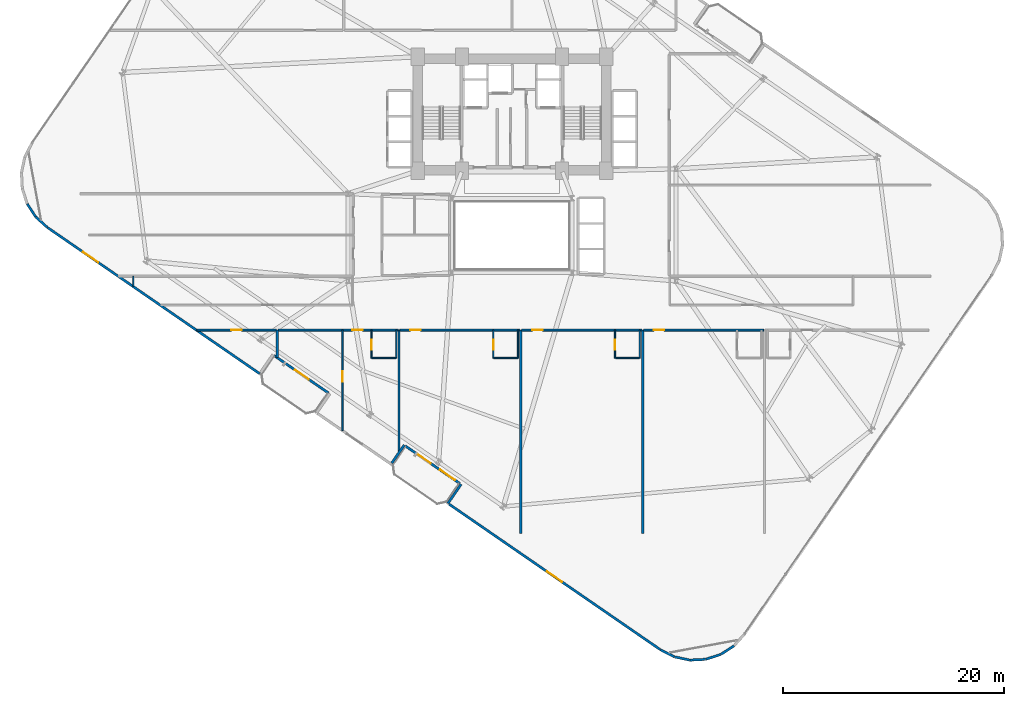
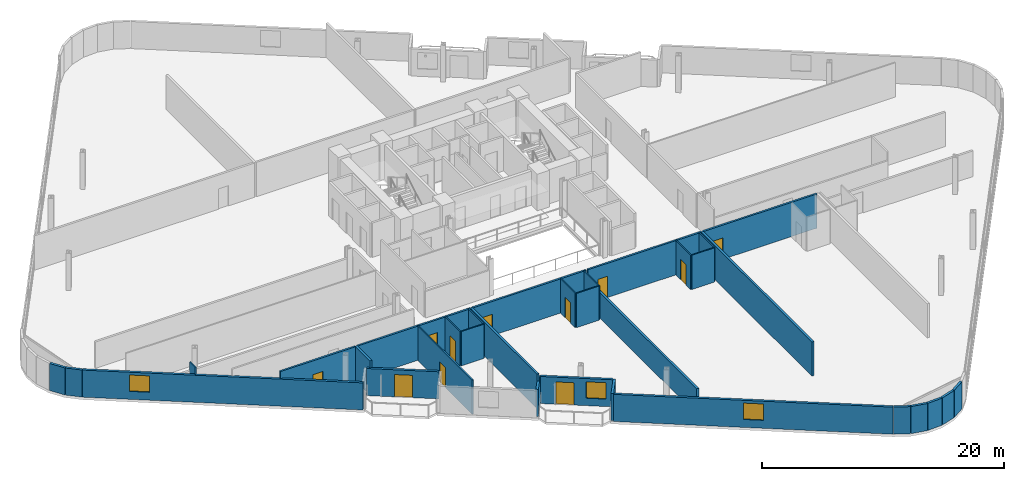
# One storey, part 19 of 26: 33 walls, 11 doors, 3 windows, 14 openings.
"""IFC4 building model written with IfcOpenShell, lengths in metres."""

from ifc_helpers import new_model, si_unit, direction, frame, frame_2d, origin, place, context, subcontext, project, spatial, rectangle, extrude, material, layer, layer_set, type_object, element, fill, save


model = new_model("IFC4")

# Units and contexts
model_context = context("Model", 3, precision=1e-05, world=origin(), true_north=direction((0.0, 1.0)))
body_context = subcontext(model_context, "Body", "Model", "MODEL_VIEW")
ifc_project = project(units=[si_unit("LENGTHUNIT", "METRE"), si_unit("AREAUNIT", "SQUARE_METRE"), si_unit("VOLUMEUNIT", "CUBIC_METRE"), si_unit("PLANEANGLEUNIT", "RADIAN"), si_unit("MASSUNIT", "GRAM", prefix="KILO")], contexts=[model_context])

# Site, building, storey
site_placement = place(None, origin())
site = spatial("IfcSite", under=ifc_project, at=site_placement, CompositionType="ELEMENT")
building_placement = place(site_placement, origin())
building = spatial("IfcBuilding", under=site, at=building_placement, Name="Varnelok Gate Tower", CompositionType="ELEMENT")
storey_placement = place(building_placement, frame((0.0, 0.0, 45.5)))
storey = spatial("IfcBuildingStorey", under=building, at=storey_placement, Name="L10", CompositionType="ELEMENT", Elevation=45.5)

# Wall, opening, door
ifc_material_1 = material(Name="Concrete C45/55", Category="concrete")
ifc_layer_1 = layer(ifc_material_1, 0.219970703125)
ifc_layer_set_1 = layer_set([ifc_layer_1], Name="Concrete C45/55")
wall_type_1 = type_object("IfcWallType", Name="EW-BALC-220", PredefinedType="SOLIDWALL", material=ifc_layer_set_1)
wall_1_placement = place(storey_placement, frame((22.642822265625, 8.667236328125, 0.0), z_axis=(0.0, 0.0, 1.0), x_axis=(-0.823534636215, 0.567265989598, 0.0)))
wall_1 = element("IfcWall", 1, at=wall_1_placement, inside=storey, type_object=wall_type_1, Name="L10 South Terrace Envelope Wall 1", PredefinedType="SOLIDWALL", context=body_context, shape_type="SweptSolid", body=[
    extrude(rectangle(XDim=6.0, YDim=0.219970703125, at=frame_2d((3.0, 0.0))), origin(), (0.0, 0.0, 1.0), 2.72998046875),
])
opening_1_placement = place(wall_1_placement, frame((2.176025390625, 0.0, 0.0)))
opening_1 = element("IfcOpeningElement", 2, at=opening_1_placement, cuts=wall_1, Name="Opening BD-1", PredefinedType="OPENING", context=body_context, shape_type="SweptSolid", body=[
    extrude(rectangle(XDim=1.5, YDim=2.25, at=frame_2d((0.75, 1.125))), frame((0.0, 0.119873046875, 0.0), z_axis=(0.0, -1.0, 0.0), x_axis=(1.0, 0.0, 0.0)), (0.0, 0.0, 1.0), 0.239990234375),
])
ifc_material_2 = material(Name="Anodized Aluminum Alloy 6063-T6", Category="aluminium")
door_type_1 = type_object("IfcDoorType", Name="DR-EXT-BALC1500", OperationType="NOTDEFINED", PredefinedType="DOOR", material=ifc_material_2)
door_1_placement = place(opening_1_placement, origin())
door_1 = element("IfcDoor", 3, at=door_1_placement, inside=storey, type_object=door_type_1, Name="L10 South Balcony Glazed Door 1", OperationType="SINGLE_SWING_RIGHT", OverallHeight=2.25, OverallWidth=1.5, PredefinedType="DOOR", context=body_context, shape_type="SweptSolid", body=[
    extrude(rectangle(XDim=1.5, YDim=2.25, at=frame_2d((0.75, 1.125))), frame((0.0, 0.02490234375, 0.0), z_axis=(0.0, -1.0, 0.0), x_axis=(1.0, 0.0, 0.0)), (0.0, 0.0, 1.0), 0.050048828125),
])
fill(opening_1, door_1)

# Wall, openings, door, window
wall_2_placement = place(storey_placement, frame((34.501708984375, 0.49853515625, 0.0), z_axis=(0.0, 0.0, 1.0), x_axis=(-0.823534636215, 0.567265989598, 0.0)))
wall_2 = element("IfcWall", 4, at=wall_2_placement, inside=storey, type_object=wall_type_1, Name="L10 South Terrace Envelope Wall 2", PredefinedType="SOLIDWALL", context=body_context, shape_type="SweptSolid", body=[
    extrude(rectangle(XDim=6.0, YDim=0.219970703125, at=frame_2d((3.0, 0.0))), origin(), (0.0, 0.0, 1.0), 2.72998046875),
])
opening_2_placement = place(wall_2_placement, frame((3.2119140625, 0.0, 0.0)))
opening_2 = element("IfcOpeningElement", 5, at=opening_2_placement, cuts=wall_2, Name="Opening BD-1", PredefinedType="OPENING", context=body_context, shape_type="SweptSolid", body=[
    extrude(rectangle(XDim=1.5, YDim=2.25, at=frame_2d((0.75, 1.125))), frame((0.0, 0.119873046875, 0.0), z_axis=(0.0, -1.0, 0.0), x_axis=(1.0, 0.0, 0.0)), (0.0, 0.0, 1.0), 0.239990234375),
])
opening_3_placement = place(wall_2_placement, frame((0.550048828125, 0.0, 0.75)))
opening_3 = element("IfcOpeningElement", 6, at=opening_3_placement, cuts=wall_2, Name="Opening WN3", PredefinedType="OPENING", context=body_context, shape_type="SweptSolid", body=[
    extrude(rectangle(XDim=1.64990234375, YDim=1.64990234375, at=frame_2d((0.824951171875, 0.824951171875))), frame((0.0, 0.119873046875, 0.0), z_axis=(0.0, -1.0, 0.0), x_axis=(1.0, 0.0, 0.0)), (0.0, 0.0, 1.0), 0.239990234375),
])
door_2_placement = place(opening_2_placement, origin())
door_2 = element("IfcDoor", 7, at=door_2_placement, inside=storey, type_object=door_type_1, Name="L10 South Balcony Glazed Door 2", OperationType="SINGLE_SWING_LEFT", OverallHeight=2.25, OverallWidth=1.5, PredefinedType="DOOR", context=body_context, shape_type="SweptSolid", body=[
    extrude(rectangle(XDim=1.5, YDim=2.25, at=frame_2d((0.75, 1.125))), frame((0.0, 0.02490234375, 0.0), z_axis=(0.0, -1.0, 0.0), x_axis=(1.0, 0.0, 0.0)), (0.0, 0.0, 1.0), 0.050048828125),
])
fill(opening_2, door_2)
ifc_material_3 = material(Name="Low-E Laminated Double Glazing IGU", Category="glass")
window_type = type_object("IfcWindowType", Name="WN-HTL-1650", PartitioningType="SINGLE_PANEL", PredefinedType="WINDOW", material=ifc_material_3)
window_1_placement = place(opening_3_placement, origin())
window_1 = element("IfcWindow", 8, at=window_1_placement, inside=storey, type_object=window_type, Name="L10 South Vision Window 2.1", OverallHeight=1.64990234375, OverallWidth=1.64990234375, PartitioningType="SINGLE_PANEL", PredefinedType="WINDOW", context=body_context, shape_type="SweptSolid", body=[
    extrude(rectangle(XDim=1.64990234375, YDim=1.64990234375, at=frame_2d((0.824951171875, 0.824951171875))), frame((0.0, 0.030029296875, 0.0), z_axis=(0.0, -1.0, 0.0), x_axis=(1.0, 0.0, 0.0)), (0.0, 0.0, 1.0), 0.06005859375),
])
fill(opening_3, window_1)

# Walls
wall_3_placement = place(storey_placement, frame((-4.580078125, 25.76220703125, 0.0), z_axis=(0.0, 0.0, 1.0), x_axis=(0.543748195851, -0.839248413468, 0.0)))
element("IfcWall", 9, at=wall_3_placement, inside=storey, type_object=wall_type_1, Name="L10 Perimeter Facade Closure Wall 5", PredefinedType="SOLIDWALL", context=body_context, shape_type="SweptSolid", body=[
    extrude(rectangle(XDim=1.4052734375, YDim=0.219970703125, at=frame_2d((0.70263671875, 0.0))), origin(), (0.0, 0.0, 1.0), 2.72998046875),
])
wall_4_placement = place(storey_placement, frame((-3.79736328125, 24.56591796875, 0.0), z_axis=(0.0, 0.0, 1.0), x_axis=(0.742537711837, -0.66980425984, 0.0)))
element("IfcWall", 10, at=wall_4_placement, inside=storey, type_object=wall_type_1, Name="L10 Perimeter Facade Closure Wall 6", PredefinedType="SOLIDWALL", context=body_context, shape_type="SweptSolid", body=[
    extrude(rectangle(XDim=1.4130859375, YDim=0.219970703125, at=frame_2d((0.70654296875, 0.0))), origin(), (0.0, 0.0, 1.0), 2.72998046875),
])

# Wall, opening, window
wall_5_placement = place(storey_placement, frame((-2.7275390625, 23.60498046875, 0.0), z_axis=(0.0, 0.0, 1.0), x_axis=(0.823535075462, -0.567265351915, 0.0)))
wall_5 = element("IfcWall", 11, at=wall_5_placement, inside=storey, type_object=wall_type_1, Name="L10 Perimeter Facade Closure Wall 7", PredefinedType="SOLIDWALL", context=body_context, shape_type="SweptSolid", body=[
    extrude(rectangle(XDim=23.2470703125, YDim=0.219970703125, at=frame_2d((11.62353515625, 0.0))), origin(), (0.0, 0.0, 1.0), 2.72998046875),
])
opening_4_placement = place(wall_5_placement, frame((3.887451171875, 0.0, 0.800048828125)))
opening_4 = element("IfcOpeningElement", 12, at=opening_4_placement, cuts=wall_5, Name="Opening WN3", PredefinedType="OPENING", context=body_context, shape_type="SweptSolid", body=[
    extrude(rectangle(XDim=1.64990234375, YDim=1.64990234375, at=frame_2d((0.824951171875, 0.824951171875))), frame((0.0, 0.119873046875, 0.0), z_axis=(0.0, -1.0, 0.0), x_axis=(1.0, 0.0, 0.0)), (0.0, 0.0, 1.0), 0.239990234375),
])
window_2_placement = place(opening_4_placement, origin())
window_2 = element("IfcWindow", 13, at=window_2_placement, inside=storey, type_object=window_type, Name="L10 Perimeter Vision Window 7", OverallHeight=1.64990234375, OverallWidth=1.64990234375, PartitioningType="SINGLE_PANEL", PredefinedType="WINDOW", context=body_context, shape_type="SweptSolid", body=[
    extrude(rectangle(XDim=1.64990234375, YDim=1.64990234375, at=frame_2d((0.824951171875, 0.824951171875))), frame((0.0, 0.030029296875, 0.0), z_axis=(0.0, -1.0, 0.0), x_axis=(1.0, 0.0, 0.0)), (0.0, 0.0, 1.0), 0.06005859375),
])
fill(opening_4, window_2)

# Walls
wall_6_placement = place(storey_placement, frame((28.34716796875, 2.351806640625, 0.0), z_axis=(0.0, 0.0, 1.0), x_axis=(0.567215821234, 0.823569190865, 0.0)))
element("IfcWall", 14, at=wall_6_placement, inside=storey, type_object=wall_type_1, Name="L10 Perimeter Facade Closure Wall 11", PredefinedType="SOLIDWALL", context=body_context, shape_type="SweptSolid", body=[
    extrude(rectangle(XDim=1.97509765625, YDim=0.219970703125, at=frame_2d((0.987548828125, 0.0))), origin(), (0.0, 0.0, 1.0), 2.72998046875),
])
wall_7_placement = place(storey_placement, frame((34.606201171875, 0.438720703125, 0.0), z_axis=(0.0, 0.0, 1.0), x_axis=(-0.567219383419, -0.823566737474, 0.0)))
element("IfcWall", 15, at=wall_7_placement, inside=storey, type_object=wall_type_1, Name="L10 Perimeter Facade Closure Wall 12", PredefinedType="SOLIDWALL", context=body_context, shape_type="SweptSolid", body=[
    extrude(rectangle(XDim=2.10009765625, YDim=0.219970703125, at=frame_2d((1.050048828125, 0.0))), origin(), (0.0, 0.0, 1.0), 2.72998046875),
])

# Wall, opening, window
wall_8_placement = place(storey_placement, frame((33.517822265625, -1.36181640625, 0.0), z_axis=(0.0, 0.0, 1.0), x_axis=(0.82353935489, -0.567259139148, 0.0)))
wall_8 = element("IfcWall", 16, at=wall_8_placement, inside=storey, type_object=wall_type_1, Name="L10 Perimeter Facade Closure Wall 13", PredefinedType="SOLIDWALL", context=body_context, shape_type="SweptSolid", body=[
    extrude(rectangle(XDim=23.14697265625, YDim=0.219970703125, at=frame_2d((11.573486328125, 0.0))), origin(), (0.0, 0.0, 1.0), 2.72998046875),
])
opening_5_placement = place(wall_8_placement, frame((10.74853515625, 0.0, 0.800048828125)))
opening_5 = element("IfcOpeningElement", 17, at=opening_5_placement, cuts=wall_8, Name="Opening WN3", PredefinedType="OPENING", context=body_context, shape_type="SweptSolid", body=[
    extrude(rectangle(XDim=1.64990234375, YDim=1.64990234375, at=frame_2d((0.824951171875, 0.824951171875))), frame((0.0, 0.119873046875, 0.0), z_axis=(0.0, -1.0, 0.0), x_axis=(1.0, 0.0, 0.0)), (0.0, 0.0, 1.0), 0.239990234375),
])
window_3_placement = place(opening_5_placement, origin())
window_3 = element("IfcWindow", 18, at=window_3_placement, inside=storey, type_object=window_type, Name="L10 Perimeter Vision Window 13", OverallHeight=1.64990234375, OverallWidth=1.64990234375, PartitioningType="SINGLE_PANEL", PredefinedType="WINDOW", context=body_context, shape_type="SweptSolid", body=[
    extrude(rectangle(XDim=1.64990234375, YDim=1.64990234375, at=frame_2d((0.824951171875, 0.824951171875))), frame((0.0, 0.030029296875, 0.0), z_axis=(0.0, -1.0, 0.0), x_axis=(1.0, 0.0, 0.0)), (0.0, 0.0, 1.0), 0.06005859375),
])
fill(opening_5, window_3)

# Walls
wall_9_placement = place(storey_placement, frame((52.602783203125, -14.503662109375, 0.0), z_axis=(0.0, 0.0, 1.0), x_axis=(0.89052335693, -0.45493752402, 0.0)))
element("IfcWall", 19, at=wall_9_placement, inside=storey, type_object=wall_type_1, Name="L10 Perimeter Facade Closure Wall 14", PredefinedType="SOLIDWALL", context=body_context, shape_type="SweptSolid", body=[
    extrude(rectangle(XDim=1.4130859375, YDim=0.219970703125, at=frame_2d((0.70654296875, 0.0))), origin(), (0.0, 0.0, 1.0), 2.72998046875),
])
for number, where, z_axis, x_axis, name in (
    (20, (53.8857421875, -15.15185546875, 0.0), (0.0, 0.0, 1.0), (0.977952168511, -0.208829011645, 0.0), "L10 Perimeter Facade Closure Wall 15"),
    (21, (55.284912109375, -15.444091796875, 0.0), (0.0, 0.0, 1.0), (0.998685611917, 0.051254741739, 0.0), "L10 Perimeter Facade Closure Wall 16"),
    (22, (56.712158203125, -15.364501953125, 0.0), (0.0, 0.0, 1.0), (0.95132472924, 0.308190297603, 0.0), "L10 Perimeter Facade Closure Wall 17"),
    (23, (58.070068359375, -14.91796875, 0.0), (0.0, 0.0, 1.0), (0.839248413468, 0.543748195851, 0.0), "L10 Perimeter Facade Closure Wall 18"),
):
    element("IfcWall", number, at=place(storey_placement, frame(where, z_axis=z_axis, x_axis=x_axis)), inside=storey, type_object=wall_type_1, Name=name, PredefinedType="SOLIDWALL", context=body_context, shape_type="SweptSolid", body=[
        extrude(rectangle(XDim=1.4052734375, YDim=0.219970703125, at=frame_2d((0.70263671875, 0.0))), origin(), (0.0, 0.0, 1.0), 2.72998046875),
    ])

# Wall, opening, door
ifc_material_4 = material(Name="Gypsum Plasterboard Acoustic Partition", Category="gypsum")
ifc_layer_2 = layer(ifc_material_4, 0.179931640625)
ifc_layer_set_2 = layer_set([ifc_layer_2], Name="Gypsum Plasterboard Acoustic Partition")
wall_type_2 = type_object("IfcWallType", Name="PW-CORR-180", PredefinedType="PARTITIONING", material=ifc_layer_set_2)
wall_10_placement = place(storey_placement, frame((10.743896484375, 14.35009765625, 0.0), z_axis=(0.0, 0.0, 1.0), x_axis=(1.0, 0.0, 0.0)))
wall_10 = element("IfcWall", 24, at=wall_10_placement, inside=storey, type_object=wall_type_2, Name="Interior Partition", PredefinedType="PARTITIONING", context=body_context, shape_type="SweptSolid", body=[
    extrude(rectangle(XDim=7.176025390625, YDim=0.179931640625, at=frame_2d((3.587890625, 0.0))), origin(), (0.0, 0.0, 1.0), 3.449951171875),
])
opening_6_placement = place(wall_10_placement, frame((3.113037109375, 0.0, 0.0)))
opening_6 = element("IfcOpeningElement", 25, at=opening_6_placement, cuts=wall_10, Name="Opening D-I2", PredefinedType="OPENING", context=body_context, shape_type="SweptSolid", body=[
    extrude(rectangle(XDim=0.949951171875, YDim=2.050048828125, at=frame_2d((0.47509765625, 1.02490234375))), frame((0.0, 0.099853515625, 0.0), z_axis=(0.0, -1.0, 0.0), x_axis=(1.0, 0.0, 0.0)), (0.0, 0.0, 1.0), 0.199951171875),
])
ifc_material_5 = material(Name="Engineered Hardwood Timber", Category="wood")
door_type_2 = type_object("IfcDoorType", Name="DR-INT-950", OperationType="NOTDEFINED", PredefinedType="DOOR", material=ifc_material_5)
door_3_placement = place(opening_6_placement, origin())
door_3 = element("IfcDoor", 26, at=door_3_placement, inside=storey, type_object=door_type_2, Name="L10 Wellness Spa Lounge Door", OperationType="SINGLE_SWING_LEFT", OverallHeight=2.050048828125, OverallWidth=0.949951171875, PredefinedType="DOOR", context=body_context, shape_type="SweptSolid", body=[
    extrude(rectangle(XDim=0.949951171875, YDim=2.050048828125, at=frame_2d((0.47509765625, 1.02490234375))), frame((0.0, 0.02490234375, 0.0), z_axis=(0.0, -1.0, 0.0), x_axis=(1.0, 0.0, 0.0)), (0.0, 0.0, 1.0), 0.050048828125),
])
fill(opening_6, door_3)

wall_11_placement = place(storey_placement, frame((18.080078125, 14.35009765625, 0.0), z_axis=(0.0, 0.0, 1.0), x_axis=(1.0, 0.0, 0.0)))
wall_11 = element("IfcWall", 27, at=wall_11_placement, inside=storey, type_object=wall_type_2, Name="Interior Partition", PredefinedType="PARTITIONING", context=body_context, shape_type="SweptSolid", body=[
    extrude(rectangle(XDim=10.83984375, YDim=0.179931640625, at=frame_2d((5.419921875, 0.0))), origin(), (0.0, 0.0, 1.0), 3.449951171875),
])
opening_7_placement = place(wall_11_placement, frame((6.679931640625, 0.0, 0.0)))
opening_7 = element("IfcOpeningElement", 28, at=opening_7_placement, cuts=wall_11, Name="Opening D-HT", PredefinedType="OPENING", context=body_context, shape_type="SweptSolid", body=[
    extrude(rectangle(XDim=0.949951171875, YDim=2.14990234375, at=frame_2d((0.47509765625, 1.074951171875))), frame((0.0, 0.099853515625, 0.0), z_axis=(0.0, -1.0, 0.0), x_axis=(1.0, 0.0, 0.0)), (0.0, 0.0, 1.0), 0.199951171875),
])
door_type_3 = type_object("IfcDoorType", Name="DR-HTL-950", OperationType="NOTDEFINED", PredefinedType="DOOR", material=ifc_material_5)
door_4_placement = place(opening_7_placement, origin())
door_4 = element("IfcDoor", 29, at=door_4_placement, inside=storey, type_object=door_type_3, Name="L10 Guest Room 02 Entrance Door", OperationType="SINGLE_SWING_LEFT", OverallHeight=2.14990234375, OverallWidth=0.949951171875, PredefinedType="DOOR", context=body_context, shape_type="SweptSolid", body=[
    extrude(rectangle(XDim=0.949951171875, YDim=2.14990234375, at=frame_2d((0.47509765625, 1.074951171875))), frame((0.0, 0.02490234375, 0.0), z_axis=(0.0, -1.0, 0.0), x_axis=(1.0, 0.0, 0.0)), (0.0, 0.0, 1.0), 0.050048828125),
])
fill(opening_7, door_4)

wall_12_placement = place(storey_placement, frame((29.080078125, 14.35009765625, 0.0), z_axis=(0.0, 0.0, 1.0), x_axis=(1.0, 0.0, 0.0)))
wall_12 = element("IfcWall", 30, at=wall_12_placement, inside=storey, type_object=wall_type_2, Name="Interior Partition", PredefinedType="PARTITIONING", context=body_context, shape_type="SweptSolid", body=[
    extrude(rectangle(XDim=10.83984375, YDim=0.179931640625, at=frame_2d((5.419921875, 0.0))), origin(), (0.0, 0.0, 1.0), 3.449951171875),
])
opening_8_placement = place(wall_12_placement, frame((0.926025390625, 0.0, 0.0)))
opening_8 = element("IfcOpeningElement", 31, at=opening_8_placement, cuts=wall_12, Name="Opening D-HT", PredefinedType="OPENING", context=body_context, shape_type="SweptSolid", body=[
    extrude(rectangle(XDim=0.949951171875, YDim=2.14990234375, at=frame_2d((0.47509765625, 1.074951171875))), frame((0.0, 0.099853515625, 0.0), z_axis=(0.0, -1.0, 0.0), x_axis=(1.0, 0.0, 0.0)), (0.0, 0.0, 1.0), 0.199951171875),
])
door_5_placement = place(opening_8_placement, origin())
door_5 = element("IfcDoor", 32, at=door_5_placement, inside=storey, type_object=door_type_3, Name="L10 Guest Room 03 Entrance Door", OperationType="SINGLE_SWING_RIGHT", OverallHeight=2.14990234375, OverallWidth=0.949951171875, PredefinedType="DOOR", context=body_context, shape_type="SweptSolid", body=[
    extrude(rectangle(XDim=0.949951171875, YDim=2.14990234375, at=frame_2d((0.47509765625, 1.074951171875))), frame((0.0, 0.02490234375, 0.0), z_axis=(0.0, -1.0, 0.0), x_axis=(1.0, 0.0, 0.0)), (0.0, 0.0, 1.0), 0.050048828125),
])
fill(opening_8, door_5)

wall_13_placement = place(storey_placement, frame((40.080078125, 14.35009765625, 0.0), z_axis=(0.0, 0.0, 1.0), x_axis=(1.0, 0.0, 0.0)))
wall_13 = element("IfcWall", 33, at=wall_13_placement, inside=storey, type_object=wall_type_2, Name="Interior Partition", PredefinedType="PARTITIONING", context=body_context, shape_type="SweptSolid", body=[
    extrude(rectangle(XDim=10.83984375, YDim=0.179931640625, at=frame_2d((5.419921875, 0.0))), origin(), (0.0, 0.0, 1.0), 3.449951171875),
])
opening_9_placement = place(wall_13_placement, frame((0.926025390625, 0.0, 0.0)))
opening_9 = element("IfcOpeningElement", 34, at=opening_9_placement, cuts=wall_13, Name="Opening D-HT", PredefinedType="OPENING", context=body_context, shape_type="SweptSolid", body=[
    extrude(rectangle(XDim=0.949951171875, YDim=2.14990234375, at=frame_2d((0.47509765625, 1.074951171875))), frame((0.0, 0.099853515625, 0.0), z_axis=(0.0, -1.0, 0.0), x_axis=(1.0, 0.0, 0.0)), (0.0, 0.0, 1.0), 0.199951171875),
])
door_6_placement = place(opening_9_placement, origin())
door_6 = element("IfcDoor", 35, at=door_6_placement, inside=storey, type_object=door_type_3, Name="L10 Guest Room 04 Entrance Door", OperationType="SINGLE_SWING_LEFT", OverallHeight=2.14990234375, OverallWidth=0.949951171875, PredefinedType="DOOR", context=body_context, shape_type="SweptSolid", body=[
    extrude(rectangle(XDim=0.949951171875, YDim=2.14990234375, at=frame_2d((0.47509765625, 1.074951171875))), frame((0.0, 0.02490234375, 0.0), z_axis=(0.0, -1.0, 0.0), x_axis=(1.0, 0.0, 0.0)), (0.0, 0.0, 1.0), 0.050048828125),
])
fill(opening_9, door_6)

wall_14_placement = place(storey_placement, frame((51.080078125, 14.35009765625, 0.0), z_axis=(0.0, 0.0, 1.0), x_axis=(1.0, 0.0, 0.0)))
wall_14 = element("IfcWall", 36, at=wall_14_placement, inside=storey, type_object=wall_type_2, Name="Interior Partition", PredefinedType="PARTITIONING", context=body_context, shape_type="SweptSolid", body=[
    extrude(rectangle(XDim=10.83984375, YDim=0.179931640625, at=frame_2d((5.419921875, 0.0))), origin(), (0.0, 0.0, 1.0), 3.449951171875),
])
opening_10_placement = place(wall_14_placement, frame((0.926025390625, 0.0, 0.0)))
opening_10 = element("IfcOpeningElement", 37, at=opening_10_placement, cuts=wall_14, Name="Opening D-HT", PredefinedType="OPENING", context=body_context, shape_type="SweptSolid", body=[
    extrude(rectangle(XDim=0.949951171875, YDim=2.14990234375, at=frame_2d((0.47509765625, 1.074951171875))), frame((0.0, 0.099853515625, 0.0), z_axis=(0.0, -1.0, 0.0), x_axis=(1.0, 0.0, 0.0)), (0.0, 0.0, 1.0), 0.199951171875),
])
door_7_placement = place(opening_10_placement, origin())
door_7 = element("IfcDoor", 38, at=door_7_placement, inside=storey, type_object=door_type_3, Name="L10 Guest Room 05 Entrance Door", OperationType="SINGLE_SWING_RIGHT", OverallHeight=2.14990234375, OverallWidth=0.949951171875, PredefinedType="DOOR", context=body_context, shape_type="SweptSolid", body=[
    extrude(rectangle(XDim=0.949951171875, YDim=2.14990234375, at=frame_2d((0.47509765625, 1.074951171875))), frame((0.0, 0.02490234375, 0.0), z_axis=(0.0, -1.0, 0.0), x_axis=(1.0, 0.0, 0.0)), (0.0, 0.0, 1.0), 0.050048828125),
])
fill(opening_10, door_7)

# Wall
ifc_layer_3 = layer(ifc_material_4, 0.114990234375)
ifc_layer_set_3 = layer_set([ifc_layer_3], Name="Gypsum Plasterboard Acoustic Partition")
wall_type_3 = type_object("IfcWallType", Name="PW-ENS-125", PredefinedType="PARTITIONING", material=ifc_layer_set_3)
wall_15_placement = place(storey_placement, frame((26.550048828125, 11.830078125, 0.0), z_axis=(0.0, 0.0, 1.0), x_axis=(1.0, 0.0, 0.0)))
element("IfcWall", 39, at=wall_15_placement, inside=storey, type_object=wall_type_3, Name="Interior Partition", PredefinedType="PARTITIONING", context=body_context, shape_type="SweptSolid", body=[
    extrude(rectangle(XDim=2.14990234375, YDim=0.114990234375, at=frame_2d((1.074951171875, 0.0))), origin(), (0.0, 0.0, 1.0), 3.449951171875),
])

# Wall, opening, door
wall_16_placement = place(storey_placement, frame((26.510009765625, 11.830078125, 0.0), z_axis=(0.0, 0.0, 1.0), x_axis=(0.0, 1.0, 0.0)))
wall_16 = element("IfcWall", 40, at=wall_16_placement, inside=storey, type_object=wall_type_3, Name="Interior Partition", PredefinedType="PARTITIONING", context=body_context, shape_type="SweptSolid", body=[
    extrude(rectangle(XDim=2.52001953125, YDim=0.114990234375, at=frame_2d((1.260009765625, 0.0))), origin(), (0.0, 0.0, 1.0), 3.449951171875),
])
opening_11_placement = place(wall_16_placement, frame((0.760009765625, 0.0, 0.0)))
opening_11 = element("IfcOpeningElement", 41, at=opening_11_placement, cuts=wall_16, Name="Opening D-WC", PredefinedType="OPENING", context=body_context, shape_type="SweptSolid", body=[
    extrude(rectangle(XDim=0.89990234375, YDim=2.050048828125, at=frame_2d((0.449951171875, 1.02490234375))), frame((0.0, 0.0673828125, 0.0), z_axis=(0.0, -1.0, 0.0), x_axis=(1.0, 0.0, 0.0)), (0.0, 0.0, 1.0), 0.135009765625),
])
door_type_4 = type_object("IfcDoorType", Name="DR-BATH-900", OperationType="NOTDEFINED", PredefinedType="DOOR", material=ifc_material_5)
door_8_placement = place(opening_11_placement, origin())
door_8 = element("IfcDoor", 42, at=door_8_placement, inside=storey, type_object=door_type_4, Name="L10 Guest En-Suite 02 Door", OperationType="SINGLE_SWING_RIGHT", OverallHeight=2.050048828125, OverallWidth=0.89990234375, PredefinedType="DOOR", context=body_context, shape_type="SweptSolid", body=[
    extrude(rectangle(XDim=0.89990234375, YDim=2.050048828125, at=frame_2d((0.449951171875, 1.02490234375))), frame((0.0, 0.02490234375, 0.0), z_axis=(0.0, -1.0, 0.0), x_axis=(1.0, 0.0, 0.0)), (0.0, 0.0, 1.0), 0.050048828125),
])
fill(opening_11, door_8)

# Walls
wall_17_placement = place(storey_placement, frame((28.739990234375, 11.830078125, 0.0), z_axis=(0.0, 0.0, 1.0), x_axis=(0.0, 1.0, 0.0)))
element("IfcWall", 43, at=wall_17_placement, inside=storey, type_object=wall_type_3, Name="Interior Partition", PredefinedType="PARTITIONING", context=body_context, shape_type="SweptSolid", body=[
    extrude(rectangle(XDim=2.52001953125, YDim=0.114990234375, at=frame_2d((1.260009765625, 0.0))), origin(), (0.0, 0.0, 1.0), 3.449951171875),
])
wall_18_placement = place(storey_placement, frame((37.550048828125, 11.830078125, 0.0), z_axis=(0.0, 0.0, 1.0), x_axis=(1.0, 0.0, 0.0)))
element("IfcWall", 44, at=wall_18_placement, inside=storey, type_object=wall_type_3, Name="Interior Partition", PredefinedType="PARTITIONING", context=body_context, shape_type="SweptSolid", body=[
    extrude(rectangle(XDim=2.14990234375, YDim=0.114990234375, at=frame_2d((1.074951171875, 0.0))), origin(), (0.0, 0.0, 1.0), 3.449951171875),
])

# Wall, opening, door
wall_19_placement = place(storey_placement, frame((37.510009765625, 11.830078125, 0.0), z_axis=(0.0, 0.0, 1.0), x_axis=(0.0, 1.0, 0.0)))
wall_19 = element("IfcWall", 45, at=wall_19_placement, inside=storey, type_object=wall_type_3, Name="Interior Partition", PredefinedType="PARTITIONING", context=body_context, shape_type="SweptSolid", body=[
    extrude(rectangle(XDim=2.52001953125, YDim=0.114990234375, at=frame_2d((1.260009765625, 0.0))), origin(), (0.0, 0.0, 1.0), 3.449951171875),
])
opening_12_placement = place(wall_19_placement, frame((0.760009765625, 0.0, 0.0)))
opening_12 = element("IfcOpeningElement", 46, at=opening_12_placement, cuts=wall_19, Name="Opening D-WC", PredefinedType="OPENING", context=body_context, shape_type="SweptSolid", body=[
    extrude(rectangle(XDim=0.89990234375, YDim=2.050048828125, at=frame_2d((0.449951171875, 1.02490234375))), frame((0.0, 0.0673828125, 0.0), z_axis=(0.0, -1.0, 0.0), x_axis=(1.0, 0.0, 0.0)), (0.0, 0.0, 1.0), 0.135009765625),
])
door_9_placement = place(opening_12_placement, origin())
door_9 = element("IfcDoor", 47, at=door_9_placement, inside=storey, type_object=door_type_4, Name="L10 Guest En-Suite 03 Door", OperationType="SINGLE_SWING_RIGHT", OverallHeight=2.050048828125, OverallWidth=0.89990234375, PredefinedType="DOOR", context=body_context, shape_type="SweptSolid", body=[
    extrude(rectangle(XDim=0.89990234375, YDim=2.050048828125, at=frame_2d((0.449951171875, 1.02490234375))), frame((0.0, 0.02490234375, 0.0), z_axis=(0.0, -1.0, 0.0), x_axis=(1.0, 0.0, 0.0)), (0.0, 0.0, 1.0), 0.050048828125),
])
fill(opening_12, door_9)

# Walls
wall_20_placement = place(storey_placement, frame((39.739990234375, 11.830078125, 0.0), z_axis=(0.0, 0.0, 1.0), x_axis=(0.0, 1.0, 0.0)))
element("IfcWall", 48, at=wall_20_placement, inside=storey, type_object=wall_type_3, Name="Interior Partition", PredefinedType="PARTITIONING", context=body_context, shape_type="SweptSolid", body=[
    extrude(rectangle(XDim=2.52001953125, YDim=0.114990234375, at=frame_2d((1.260009765625, 0.0))), origin(), (0.0, 0.0, 1.0), 3.449951171875),
])
wall_21_placement = place(storey_placement, frame((48.550048828125, 11.830078125, 0.0), z_axis=(0.0, 0.0, 1.0), x_axis=(1.0, 0.0, 0.0)))
element("IfcWall", 49, at=wall_21_placement, inside=storey, type_object=wall_type_3, Name="Interior Partition", PredefinedType="PARTITIONING", context=body_context, shape_type="SweptSolid", body=[
    extrude(rectangle(XDim=2.14990234375, YDim=0.114990234375, at=frame_2d((1.074951171875, 0.0))), origin(), (0.0, 0.0, 1.0), 3.449951171875),
])

# Wall, opening, door
wall_22_placement = place(storey_placement, frame((48.510009765625, 11.830078125, 0.0), z_axis=(0.0, 0.0, 1.0), x_axis=(0.0, 1.0, 0.0)))
wall_22 = element("IfcWall", 50, at=wall_22_placement, inside=storey, type_object=wall_type_3, Name="Interior Partition", PredefinedType="PARTITIONING", context=body_context, shape_type="SweptSolid", body=[
    extrude(rectangle(XDim=2.52001953125, YDim=0.114990234375, at=frame_2d((1.260009765625, 0.0))), origin(), (0.0, 0.0, 1.0), 3.449951171875),
])
opening_13_placement = place(wall_22_placement, frame((0.760009765625, 0.0, 0.0)))
opening_13 = element("IfcOpeningElement", 51, at=opening_13_placement, cuts=wall_22, Name="Opening D-WC", PredefinedType="OPENING", context=body_context, shape_type="SweptSolid", body=[
    extrude(rectangle(XDim=0.89990234375, YDim=2.050048828125, at=frame_2d((0.449951171875, 1.02490234375))), frame((0.0, 0.0673828125, 0.0), z_axis=(0.0, -1.0, 0.0), x_axis=(1.0, 0.0, 0.0)), (0.0, 0.0, 1.0), 0.135009765625),
])
door_10_placement = place(opening_13_placement, origin())
door_10 = element("IfcDoor", 52, at=door_10_placement, inside=storey, type_object=door_type_4, Name="L10 Guest En-Suite 04 Door", OperationType="SINGLE_SWING_RIGHT", OverallHeight=2.050048828125, OverallWidth=0.89990234375, PredefinedType="DOOR", context=body_context, shape_type="SweptSolid", body=[
    extrude(rectangle(XDim=0.89990234375, YDim=2.050048828125, at=frame_2d((0.449951171875, 1.02490234375))), frame((0.0, 0.02490234375, 0.0), z_axis=(0.0, -1.0, 0.0), x_axis=(1.0, 0.0, 0.0)), (0.0, 0.0, 1.0), 0.050048828125),
])
fill(opening_13, door_10)

# Walls
wall_23_placement = place(storey_placement, frame((50.739990234375, 11.830078125, 0.0), z_axis=(0.0, 0.0, 1.0), x_axis=(0.0, 1.0, 0.0)))
element("IfcWall", 53, at=wall_23_placement, inside=storey, type_object=wall_type_3, Name="Interior Partition", PredefinedType="PARTITIONING", context=body_context, shape_type="SweptSolid", body=[
    extrude(rectangle(XDim=2.52001953125, YDim=0.114990234375, at=frame_2d((1.260009765625, 0.0))), origin(), (0.0, 0.0, 1.0), 3.449951171875),
])
ifc_layer_4 = layer(ifc_material_4, 0.125)
ifc_layer_set_4 = layer_set([ifc_layer_4], Name="Gypsum Plasterboard Acoustic Partition")
wall_type_4 = type_object("IfcWallType", Name="PW-PART-125", PredefinedType="PARTITIONING", material=ifc_layer_set_4)
wall_24_placement = place(storey_placement, frame((5.0, 18.306396484375, 0.0), z_axis=(0.0, 0.0, 1.0), x_axis=(0.0, 1.0, 0.0)))
element("IfcWall", 54, at=wall_24_placement, inside=storey, type_object=wall_type_4, Name="Interior Partition", PredefinedType="PARTITIONING", context=body_context, shape_type="SweptSolid", body=[
    extrude(rectangle(XDim=0.93359375, YDim=0.125, at=frame_2d((0.466796875, 0.0))), origin(), (0.0, 0.0, 1.0), 3.449951171875),
])

# Wall, opening, door
wall_25_placement = place(storey_placement, frame((23.89990234375, 5.28759765625, 0.0), z_axis=(0.0, 0.0, 1.0), x_axis=(0.0, 1.0, 0.0)))
wall_25 = element("IfcWall", 55, at=wall_25_placement, inside=storey, type_object=wall_type_4, Name="Interior Partition", PredefinedType="PARTITIONING", context=body_context, shape_type="SweptSolid", body=[
    extrude(rectangle(XDim=9.0625, YDim=0.125, at=frame_2d((4.53125, 0.0))), origin(), (0.0, 0.0, 1.0), 3.449951171875),
])
opening_14_placement = place(wall_25_placement, frame((4.4248046875, 0.0, 0.0)))
opening_14 = element("IfcOpeningElement", 56, at=opening_14_placement, cuts=wall_25, Name="Opening D-I3", PredefinedType="OPENING", context=body_context, shape_type="SweptSolid", body=[
    extrude(rectangle(XDim=0.919921875, YDim=2.050048828125, at=frame_2d((0.4599609375, 1.02490234375))), frame((0.0, 0.072509765625, 0.0), z_axis=(0.0, -1.0, 0.0), x_axis=(1.0, 0.0, 0.0)), (0.0, 0.0, 1.0), 0.14501953125),
])
door_type_5 = type_object("IfcDoorType", Name="DR-INT-920", OperationType="NOTDEFINED", PredefinedType="DOOR", material=ifc_material_5)
door_11_placement = place(opening_14_placement, origin())
door_11 = element("IfcDoor", 57, at=door_11_placement, inside=storey, type_object=door_type_5, Name="L10 Suite Bedroom Door 2", OperationType="SINGLE_SWING_LEFT", OverallHeight=2.050048828125, OverallWidth=0.919921875, PredefinedType="DOOR", context=body_context, shape_type="SweptSolid", body=[
    extrude(rectangle(XDim=0.919921875, YDim=2.050048828125, at=frame_2d((0.4599609375, 1.02490234375))), frame((0.0, 0.02490234375, 0.0), z_axis=(0.0, -1.0, 0.0), x_axis=(1.0, 0.0, 0.0)), (0.0, 0.0, 1.0), 0.050048828125),
])
fill(opening_14, door_11)

# Walls
ifc_layer_5 = layer(ifc_material_4, 0.205078125)
ifc_layer_set_5 = layer_set([ifc_layer_5], Name="Gypsum Plasterboard Acoustic Partition")
wall_type_5 = type_object("IfcWallType", Name="PW-PARTY-200", PredefinedType="PARTITIONING", material=ifc_layer_set_5)
wall_26_placement = place(storey_placement, frame((18.0, 11.901611328125, 0.0), z_axis=(0.0, 0.0, 1.0), x_axis=(0.0, 1.0, 0.0)))
element("IfcWall", 58, at=wall_26_placement, inside=storey, type_object=wall_type_5, Name="L10 South Party Wall 1", PredefinedType="PARTITIONING", context=body_context, shape_type="SweptSolid", body=[
    extrude(rectangle(XDim=2.448486328125, YDim=0.205078125, at=frame_2d((1.22412109375, 0.0))), origin(), (0.0, 0.0, 1.0), 3.449951171875),
])
wall_27_placement = place(storey_placement, frame((29.0, 3.335205078125, 0.0), z_axis=(0.0, 0.0, 1.0), x_axis=(0.0, 1.0, 0.0)))
element("IfcWall", 59, at=wall_27_placement, inside=storey, type_object=wall_type_5, Name="L10 South Party Wall 2", PredefinedType="PARTITIONING", context=body_context, shape_type="SweptSolid", body=[
    extrude(rectangle(XDim=11.014892578125, YDim=0.205078125, at=frame_2d((5.50732421875, 0.0))), origin(), (0.0, 0.0, 1.0), 3.449951171875),
])
wall_28_placement = place(storey_placement, frame((40.0, -4.0, 0.0), z_axis=(0.0, 0.0, 1.0), x_axis=(0.0, 1.0, 0.0)))
element("IfcWall", 60, at=wall_28_placement, inside=storey, type_object=wall_type_5, Name="L10 South Party Wall 3", PredefinedType="PARTITIONING", context=body_context, shape_type="SweptSolid", body=[
    extrude(rectangle(XDim=18.35009765625, YDim=0.205078125, at=frame_2d((9.175048828125, 0.0))), origin(), (0.0, 0.0, 1.0), 2.580078125),
])
wall_29_placement = place(storey_placement, frame((51.0, -4.0, 0.0), z_axis=(0.0, 0.0, 1.0), x_axis=(0.0, 1.0, 0.0)))
element("IfcWall", 61, at=wall_29_placement, inside=storey, type_object=wall_type_5, Name="L10 South Party Wall 4", PredefinedType="PARTITIONING", context=body_context, shape_type="SweptSolid", body=[
    extrude(rectangle(XDim=18.35009765625, YDim=0.205078125, at=frame_2d((9.175048828125, 0.0))), origin(), (0.0, 0.0, 1.0), 3.449951171875),
])

save(model, "model.ifc")
